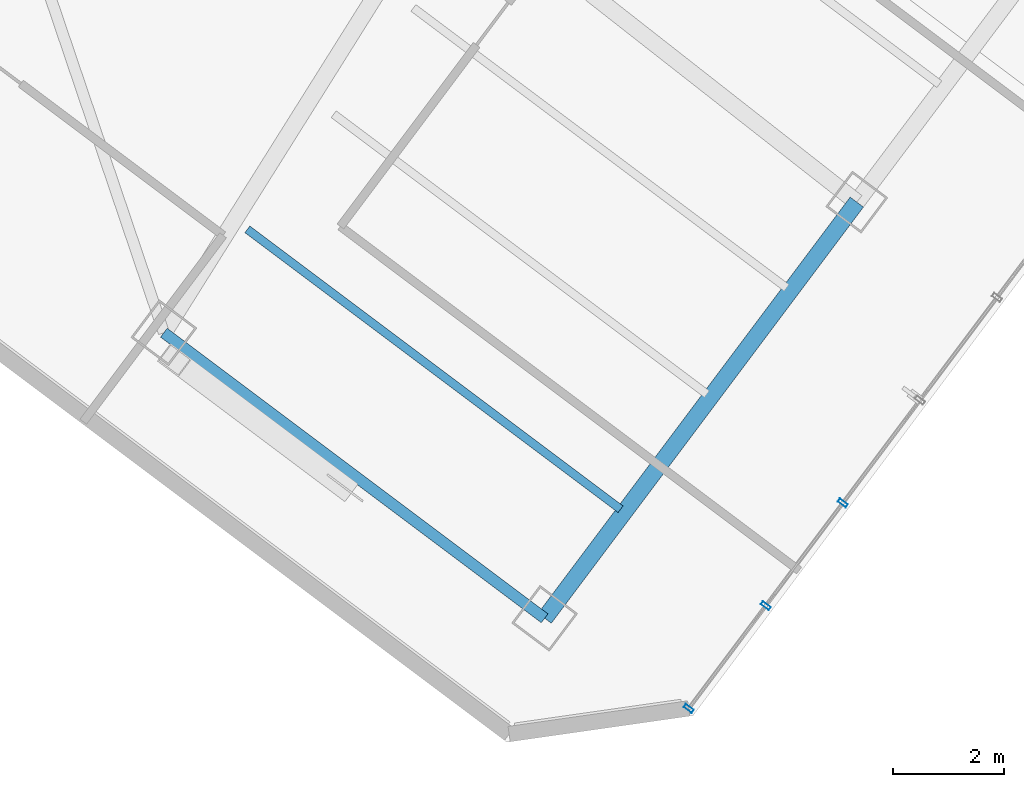
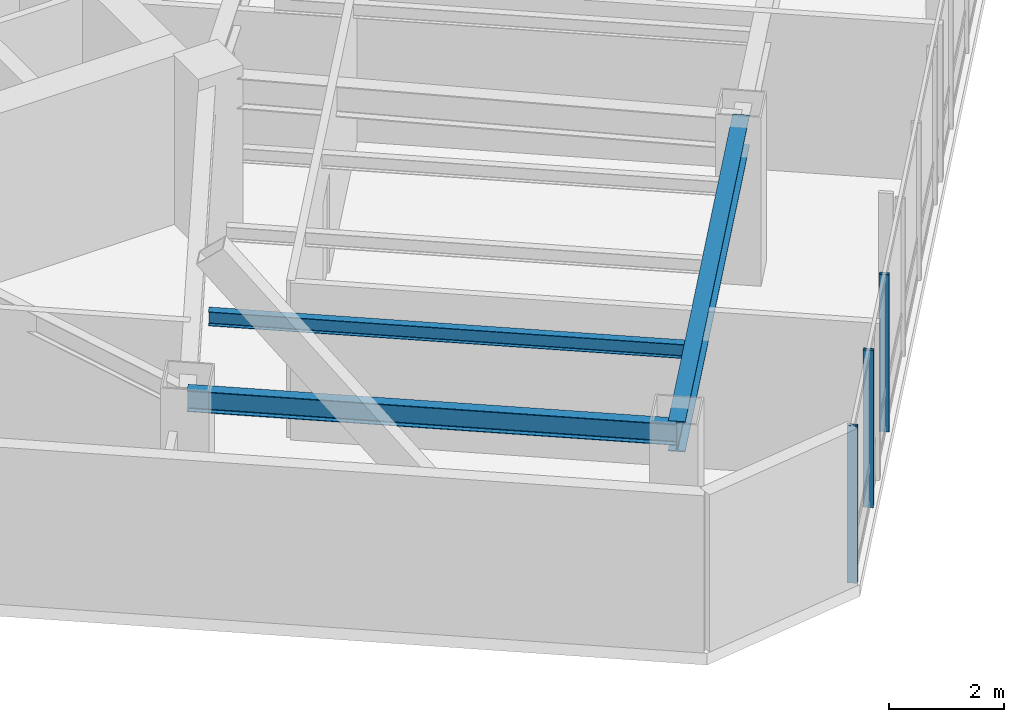
# One storey, part 10 of 28: 3 beams, 3 members, 1 element without a shape of its own.
"""IFC4 building model written with IfcOpenShell, lengths in metres."""

from ifc_helpers import new_model, si_unit, direction, frame, origin, origin_2d, place, context, subcontext, project, spatial, hollow_rectangle, i_section, extrude, material, layer, layer_set, material_profile, profile_set, type_object, element, aggregate, save


model = new_model("IFC4")

# Units and contexts
model_context = context("Model", 3, precision=1e-05, world=origin(), true_north=direction((0.0, 1.0)))
body_context = subcontext(model_context, "Body", "Model", "MODEL_VIEW")
ifc_project = project(units=[si_unit("LENGTHUNIT", "METRE"), si_unit("AREAUNIT", "SQUARE_METRE"), si_unit("VOLUMEUNIT", "CUBIC_METRE"), si_unit("PLANEANGLEUNIT", "RADIAN"), si_unit("MASSUNIT", "GRAM", prefix="KILO")], contexts=[model_context])

# Site, building, storey
site_placement = place(None, origin())
site = spatial("IfcSite", under=ifc_project, at=site_placement, CompositionType="ELEMENT")
building_placement = place(site_placement, origin())
building = spatial("IfcBuilding", under=site, at=building_placement, Name="Hatsunagi Terrace Concourse", CompositionType="ELEMENT")
storey_placement = place(building_placement, frame((0.0, 0.0, 138.449951171875)))
storey = spatial("IfcBuildingStorey", under=building, at=storey_placement, Name="L36", CompositionType="ELEMENT", Elevation=138.449951171875)

# Curtain wall, members
ifc_material_1 = material(Name="Anodised Aluminium Alloy 6063-T5", Category="aluminium")
ifc_layer = layer(ifc_material_1, 0.199951171875)
ifc_layer_set = layer_set([ifc_layer], Name="OfficeZone1_CW03")
curtain_wall_type = type_object("IfcCurtainWallType", Name="OfficeZone1_CW03", PredefinedType="NOTDEFINED", material=ifc_layer_set)
curtain_wall_placement = place(storey_placement, origin())
curtain_wall = element("IfcCurtainWall", 1, at=curtain_wall_placement, inside=storey, type_object=curtain_wall_type, Name="Unitised Curtain Wall CW-03 CW-L36-03", PredefinedType="NOTDEFINED")
ifc_material_2 = material(Name="Anodised Aluminium Alloy 6063-T5", Category="aluminium")
ifc_material_profile_1 = material_profile(ifc_material_2, hollow_rectangle(XDim=0.070068359375, YDim=0.179931640625, WallThickness=0.00390625, at=origin_2d()), Name="ALU-MUL-180x70x4")
ifc_profile_set_1 = profile_set([ifc_material_profile_1], Name="Anodised Aluminium Alloy 6063-T5")
member_type = type_object("IfcMemberType", Name="CurtainWallMullion_180x70", PredefinedType="MULLION", material=ifc_profile_set_1)
member_1_placement = place(storey_placement, frame((50.947021484375, 12.962890625, 0.0), z_axis=(0.0, 0.0, 1.0), x_axis=(-0.599969314634, -0.800023013105, 0.0)))
member_1 = element("IfcMember", 2, at=member_1_placement, type_object=member_type, Name="Curtain Wall Mullion MUL-02", PredefinedType="MULLION", context=body_context, shape_type="SweptSolid", body=[
    extrude(hollow_rectangle(XDim=0.070068359375, YDim=0.179931640625, WallThickness=0.00390625, at=origin_2d()), origin(), (0.0, 0.0, 1.0), 3.35009765625),
])
member_2_placement = place(storey_placement, frame((49.554931640625, 11.10595703125, 0.0), z_axis=(0.0, 0.0, 1.0), x_axis=(-0.599969314634, -0.800023013105, 0.0)))
member_2 = element("IfcMember", 3, at=member_2_placement, type_object=member_type, Name="Curtain Wall Mullion MUL-02", PredefinedType="MULLION", context=body_context, shape_type="SweptSolid", body=[
    extrude(hollow_rectangle(XDim=0.070068359375, YDim=0.179931640625, WallThickness=0.00390625, at=origin_2d()), origin(), (0.0, 0.0, 1.0), 3.35009765625),
])
member_3_placement = place(storey_placement, frame((48.1630859375, 9.25, 0.0), z_axis=(0.0, 0.0, 1.0), x_axis=(-0.599969314634, -0.800023013105, 0.0)))
member_3 = element("IfcMember", 4, at=member_3_placement, type_object=member_type, Name="Curtain Wall Mullion MUL-02", PredefinedType="MULLION", context=body_context, shape_type="SweptSolid", body=[
    extrude(hollow_rectangle(XDim=0.070068359375, YDim=0.179931640625, WallThickness=0.00390625, at=origin_2d()), origin(), (0.0, 0.0, 1.0), 3.35009765625),
])
aggregate(curtain_wall, [member_1, member_2, member_3])

# Beams
ifc_material_3 = material(Name="Steel SN490B", Category="steel")
ifc_material_profile_2 = material_profile(ifc_material_3, i_section(OverallWidth=0.14990234375, OverallDepth=0.300048828125, WebThickness=0.006591796875, FlangeThickness=0.009033203125, FilletRadius=0.010986328125, at=origin_2d()), Name="H-300x150x6.5x9")
ifc_profile_set_2 = profile_set([ifc_material_profile_2], Name="Steel SN490B")
beam_type_1 = type_object("IfcBeamType", Name="OfficeJoist_H_300x150", PredefinedType="JOIST", material=ifc_profile_set_2)
beam_1_placement = place(storey_placement, frame((40.18798828125, 17.908935546875, 3.199951171875), z_axis=(0.800003475366, -0.59999536615, 0.0), x_axis=(0.59999536615, 0.800003475366, 0.0)))
element("IfcBeam", 5, at=beam_1_placement, inside=storey, type_object=beam_type_1, Name="Beam J-03 J-L36-SE-2-46", PredefinedType="JOIST", context=body_context, shape_type="SweptSolid", body=[
    extrude(i_section(OverallWidth=0.14990234375, OverallDepth=0.300048828125, WebThickness=0.006591796875, FlangeThickness=0.009033203125, FilletRadius=0.010986328125, at=origin_2d()), origin(), (0.0, 0.0, 1.0), 8.429931640625),
])
ifc_material_4 = material(Name="Steel SN490B", Category="steel")
ifc_material_profile_3 = material_profile(ifc_material_4, i_section(OverallWidth=0.300048828125, OverallDepth=0.64990234375, WebThickness=0.012939453125, FlangeThickness=0.02197265625, FilletRadius=0.01806640625, at=origin_2d()), Name="H-650x300x13x22")
ifc_profile_set_3 = profile_set([ifc_material_profile_3], Name="Steel SN490B")
beam_type_2 = type_object("IfcBeamType", Name="OfficeLowGirder_H_650x300", PredefinedType="BEAM", material=ifc_profile_set_3)
beam_2_placement = place(storey_placement, frame((45.56005859375, 10.8798828125, 3.025146484375), z_axis=(0.599991688754, 0.800006233367, 0.0), x_axis=(-0.800006233367, 0.599991688754, 0.0)))
element("IfcBeam", 6, at=beam_2_placement, inside=storey, type_object=beam_type_2, Name="Beam G-05 BM-L36-SET-2A", PredefinedType="BEAM", context=body_context, shape_type="SweptSolid", body=[
    extrude(i_section(OverallWidth=0.300048828125, OverallDepth=0.64990234375, WebThickness=0.012939453125, FlangeThickness=0.02197265625, FilletRadius=0.01806640625, at=origin_2d()), origin(), (0.0, 0.0, 1.0), 9.39990234375),
])
ifc_material_5 = material(Name="Steel SN490B", Category="steel")
ifc_material_profile_4 = material_profile(ifc_material_5, i_section(OverallWidth=0.199951171875, OverallDepth=0.449951171875, WebThickness=0.009033203125, FlangeThickness=0.013916015625, FilletRadius=0.01611328125, at=origin_2d()), Name="H-450x200x9x14")
ifc_profile_set_4 = profile_set([ifc_material_profile_4], Name="Steel SN490B")
beam_type_3 = type_object("IfcBeamType", Name="PerimeterSpandrel_H_450x200", PredefinedType="SPANDREL", material=ifc_profile_set_4)
beam_3_placement = place(storey_placement, frame((38.679931640625, 16.0400390625, 3.125), z_axis=(0.799996593451, -0.600004542038, 0.0), x_axis=(0.600004542038, 0.799996593451, 0.0)))
element("IfcBeam", 7, at=beam_3_placement, inside=storey, type_object=beam_type_3, Name="Beam SP-02 BM-L36-SE-SW2", PredefinedType="SPANDREL", context=body_context, shape_type="SweptSolid", body=[
    extrude(i_section(OverallWidth=0.199951171875, OverallDepth=0.449951171875, WebThickness=0.009033203125, FlangeThickness=0.013916015625, FilletRadius=0.01611328125, at=origin_2d()), origin(), (0.0, 0.0, 1.0), 8.60009765625),
])

save(model, "model.ifc")
